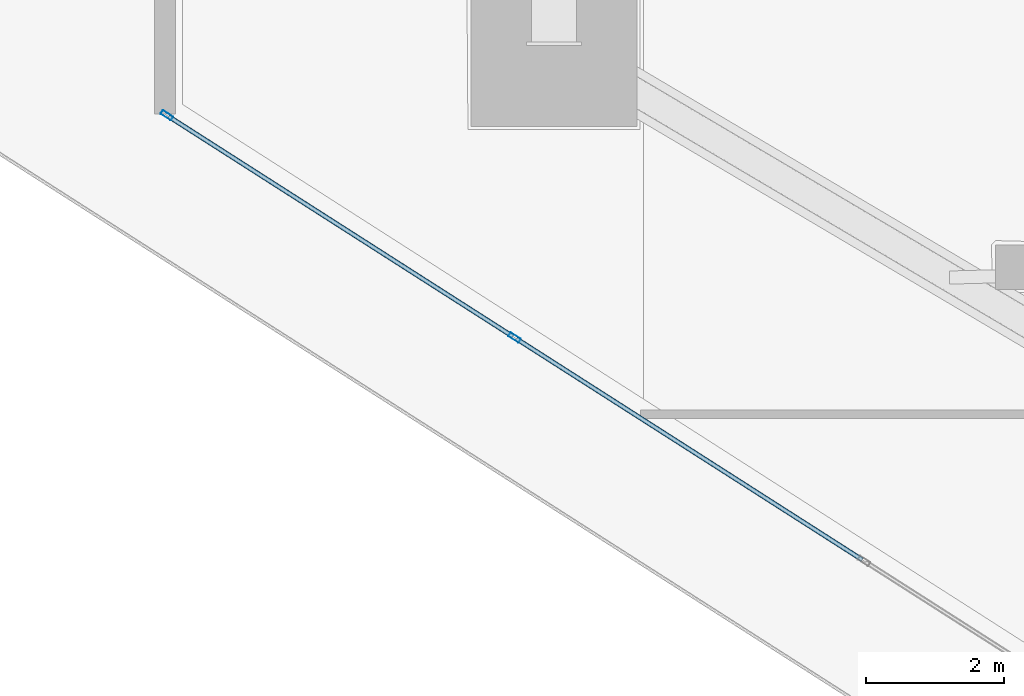
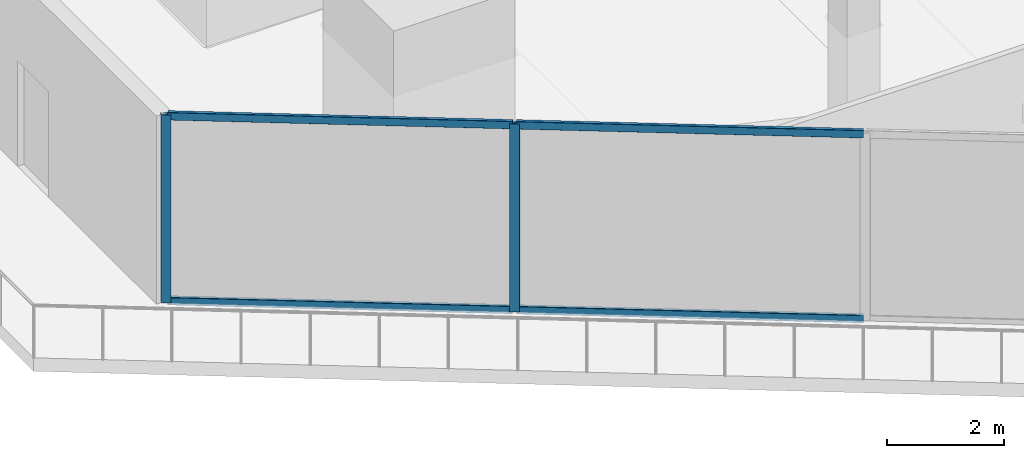
# One storey, part 4 of 43: 6 members, 1 element without a shape of its own.
"""IFC4 building model written with IfcOpenShell, lengths in metres."""

import ifcopenshell
import ifcopenshell.guid

model = None  # the IFC model being written
_history = None  # IfcOwnerHistory: only IFC2X3 demands one
_inside = {}  # id of a spatial element -> (the spatial element, [elements in it])
_under = {}  # id of a project, library or spatial element -> (it, [spatial elements below it])
_declared = {}  # id of a project -> (the project, [libraries it declares])
_typed = {}  # id of a type object -> (the type object, [elements of that type])
_made_of = {}  # id of a material, layer set ... -> (it, [elements and type objects made of it])


def new_model(schema):
    """Start an empty IFC model of exactly this schema.

    Asked for "IFC4X3", IfcOpenShell would pick the latest addendum, in which some entities
    have other attributes; the version numbers below select the first issue.
    IFC2X3 requires an IfcOwnerHistory on every rooted entity: one is made here for all.
    """
    global model, _history
    if schema == "IFC4X3":
        model = ifcopenshell.file(schema_version=(4, 3, 0, 0))
    else:
        model = ifcopenshell.file(schema=schema)
    _inside.clear()
    _under.clear()
    _declared.clear()
    _typed.clear()
    _made_of.clear()
    _history = None
    if model.schema == "IFC2X3":
        org = make("IfcOrganization", Name="unknown")
        user = make(
            "IfcPersonAndOrganization",
            ThePerson=make("IfcPerson", FamilyName="unknown"),
            TheOrganization=org,
        )
        app = make(
            "IfcApplication",
            ApplicationDeveloper=org,
            Version="unknown",
            ApplicationFullName="unknown",
            ApplicationIdentifier="unknown",
        )
        _history = make(
            "IfcOwnerHistory",
            OwningUser=user,
            OwningApplication=app,
            ChangeAction="ADDED",
            CreationDate=0,
        )
    return model


def make(cls, **values):
    """One entity of the class cls with the attributes given. An attribute that is None is left unset."""
    return model.create_entity(
        cls, **{name: value for name, value in values.items() if value is not None}
    )


def rooted(cls, **values):
    """An entity with a GlobalId (a new one), such as an element, a storey or a relation."""
    return make(cls, GlobalId=ifcopenshell.guid.new(), OwnerHistory=_history, **values)


def si_unit(unit_type, name, prefix=None):
    """IfcSIUnit, for example si_unit("LENGTHUNIT", "METRE", prefix="MILLI")."""
    return make("IfcSIUnit", UnitType=unit_type, Prefix=prefix, Name=name)


def assignment(units):
    """IfcUnitAssignment: the units of a project."""
    return None if units is None else make("IfcUnitAssignment", Units=units)


def point(xyz):
    """IfcCartesianPoint."""
    return None if xyz is None else make("IfcCartesianPoint", Coordinates=xyz)


def direction(xyz):
    """IfcDirection."""
    return None if xyz is None else make("IfcDirection", DirectionRatios=xyz)


def frame(location, z_axis=None, x_axis=None):
    """IfcAxis2Placement3D, a coordinate frame: its origin and axes. An axis left out is left unset."""
    return make(
        "IfcAxis2Placement3D",
        Location=point(location),
        Axis=direction(z_axis),
        RefDirection=direction(x_axis),
    )


def frame_2d(location, x_axis=None):
    """IfcAxis2Placement2D, a coordinate frame in the plane: its origin and x axis."""
    return make(
        "IfcAxis2Placement2D", Location=point(location), RefDirection=direction(x_axis)
    )


def origin():
    """The frame at (0, 0, 0) with its axes left unset."""
    return frame((0.0, 0.0, 0.0))


def origin_2d():
    """The frame at (0, 0) in the plane with its x axis left unset."""
    return frame_2d((0.0, 0.0))


def place(relative_to, where):
    """IfcLocalPlacement: puts the frame where relative to a parent placement (None: the world)."""
    return make(
        "IfcLocalPlacement", PlacementRelTo=relative_to, RelativePlacement=where
    )


def context(
    kind, dimensions, precision=None, world=None, true_north=None, identifier=None
):
    """IfcGeometricRepresentationContext, for example the 3D "Model" context."""
    return make(
        "IfcGeometricRepresentationContext",
        ContextIdentifier=identifier,
        ContextType=kind,
        CoordinateSpaceDimension=dimensions,
        Precision=precision,
        WorldCoordinateSystem=world,
        TrueNorth=true_north,
    )


def subcontext(parent, identifier, kind, view, scale=None):
    """IfcGeometricRepresentationSubContext, for example "Body" below "Model"."""
    return make(
        "IfcGeometricRepresentationSubContext",
        ContextIdentifier=identifier,
        ContextType=kind,
        ParentContext=parent,
        TargetScale=scale,
        TargetView=view,
    )


def project(units=None, contexts=None):
    """IfcProject with its units and contexts."""
    return rooted(
        "IfcProject",
        Name="project",
        RepresentationContexts=contexts,
        UnitsInContext=assignment(units),
    )


def spatial(cls, under=None, at=None, **own):
    """A site, building, storey or space (cls), placed at a placement, below another one or the project."""
    s = rooted(cls, ObjectPlacement=at, **own)
    if under is not None:
        _under.setdefault(under.id(), (under, []))[1].append(s)
    return s


def profile(cls, at=None, kind="AREA", **sizes):
    """A parametric profile (cls). Its sizes go by their IFC names, for example OverallWidth=200.0."""
    return make(cls, ProfileType=kind, Position=at, **sizes)


def hollow_rectangle(**sizes):
    """IfcRectangleHollowProfileDef."""
    return profile("IfcRectangleHollowProfileDef", **sizes)


def extrude(swept, where, along, depth):
    """IfcExtrudedAreaSolid: the profile swept, set in the frame where, extruded along a direction by depth."""
    return make(
        "IfcExtrudedAreaSolid",
        SweptArea=swept,
        Position=where,
        ExtrudedDirection=direction(along),
        Depth=depth,
    )


def shape(context_of_items, identifier, shape_type, items):
    """IfcShapeRepresentation: the items that make up one representation, for example the "Body"."""
    return make(
        "IfcShapeRepresentation",
        ContextOfItems=context_of_items,
        RepresentationIdentifier=identifier,
        RepresentationType=shape_type,
        Items=items,
    )


def material(Name=None, Category=None):
    """IfcMaterial."""
    return make("IfcMaterial", Name=Name, Category=Category)


def layer(
    of_material, thickness, ventilated=None, Name=None, Category=None, Priority=None
):
    """IfcMaterialLayer: one layer of a wall or slab, of a material (None: an air gap)."""
    return make(
        "IfcMaterialLayer",
        Material=of_material,
        LayerThickness=thickness,
        IsVentilated=ventilated,
        Name=Name,
        Category=Category,
        Priority=Priority,
    )


def layer_set(layers, Name=None):
    """IfcMaterialLayerSet."""
    return make("IfcMaterialLayerSet", MaterialLayers=layers, LayerSetName=Name)


def material_profile(
    of_material, cross_section, Name=None, Category=None, Priority=None
):
    """IfcMaterialProfile: a cross section and its material."""
    return make(
        "IfcMaterialProfile",
        Name=Name,
        Material=of_material,
        Profile=cross_section,
        Priority=Priority,
        Category=Category,
    )


def profile_set(profiles, Name=None, composite=None):
    """IfcMaterialProfileSet."""
    return make(
        "IfcMaterialProfileSet",
        Name=Name,
        MaterialProfiles=profiles,
        CompositeProfile=composite,
    )


def made_of(thing, what):
    """Note that an element or type object is made of a material, layer set ...; save() writes the relation."""
    if what is not None:
        _made_of.setdefault(what.id(), (what, []))[1].append(thing)
    return thing


def type_object(cls, material=None, **own):
    """A type object (cls), such as IfcWallType, which elements share."""
    return made_of(rooted(cls, **own), material)


def element(
    cls,
    number,
    at=None,
    inside=None,
    cuts=None,
    type_object=None,
    material=None,
    context=None,
    identifier="Body",
    shape_type=None,
    held_by="IfcProductDefinitionShape",
    body=None,
    shapes=None,
    **own,
):
    """One element of the class cls, such as IfcWall. Its Tag is "e" and its number.

    at: its placement. inside: the storey or other place that contains it. cuts: it is an
    opening in that element (IfcRelVoidsElement). A single representation is given by context,
    identifier, shape_type and body (its items); several are given by shapes. held_by: the class
    of the entity that holds the representations. save() writes the other relations.
    """
    e = rooted(cls, Tag="e%d" % number, ObjectPlacement=at, **own)
    if body is not None:
        shapes = [shape(context, identifier, shape_type, body)]
    if shapes is not None:
        e.Representation = make(held_by, Representations=shapes)
    if inside is not None:
        _inside.setdefault(inside.id(), (inside, []))[1].append(e)
    if cuts is not None:
        rooted(
            "IfcRelVoidsElement", RelatingBuildingElement=cuts, RelatedOpeningElement=e
        )
    if type_object is not None:
        _typed.setdefault(type_object.id(), (type_object, []))[1].append(e)
    return made_of(e, material)


def aggregate(whole, parts):
    """IfcRelAggregates: a whole, such as a stair, and the parts it consists of."""
    return rooted("IfcRelAggregates", RelatingObject=whole, RelatedObjects=parts)


def save(model, path):
    """Write the relations noted so far, then the file.

    IfcRelAggregates (storeys below a building ...), IfcRelContainedInSpatialStructure (elements
    in a storey), IfcRelDefinesByType, IfcRelAssociatesMaterial and IfcRelDeclares: one each for
    every whole, place, type object, material and project.
    """
    for whole, parts in _under.values():
        aggregate(whole, parts)
    for where, things in _inside.values():
        rooted(
            "IfcRelContainedInSpatialStructure",
            RelatedElements=things,
            RelatingStructure=where,
        )
    for kind, things in _typed.values():
        rooted("IfcRelDefinesByType", RelatedObjects=things, RelatingType=kind)
    for what, things in _made_of.values():
        rooted("IfcRelAssociatesMaterial", RelatedObjects=things, RelatingMaterial=what)
    for by, libraries in _declared.values():
        rooted("IfcRelDeclares", RelatingContext=by, RelatedDefinitions=libraries)
    model.write(path)


model = new_model("IFC4")

# Units and contexts
model_context = context("Model", 3, precision=1e-05, world=origin(), true_north=direction((0.0, 1.0)))
body_context = subcontext(model_context, "Body", "Model", "MODEL_VIEW")
ifc_project = project(units=[si_unit("LENGTHUNIT", "METRE"), si_unit("AREAUNIT", "SQUARE_METRE"), si_unit("VOLUMEUNIT", "CUBIC_METRE"), si_unit("PLANEANGLEUNIT", "RADIAN"), si_unit("MASSUNIT", "GRAM", prefix="KILO")], contexts=[model_context])

# Site, building, storey
site_placement = place(None, origin())
site = spatial("IfcSite", under=ifc_project, at=site_placement, CompositionType="ELEMENT")
building_placement = place(site_placement, origin())
building = spatial("IfcBuilding", under=site, at=building_placement, Name="Qorvath Tower", CompositionType="ELEMENT")
storey_placement = place(building_placement, frame((0.0, 0.0, 36.60009765625)))
storey = spatial("IfcBuildingStorey", under=building, at=storey_placement, Name="L07", CompositionType="ELEMENT", Elevation=36.60009765625)

# Curtain wall, members
ifc_material_1 = material(Name="Anodised aluminium and triple low-E glass", Category="aluminium")
ifc_layer = layer(ifc_material_1, 0.179931640625)
ifc_layer_set = layer_set([ifc_layer], Name="CW-SYS-2")
curtain_wall_type = type_object("IfcCurtainWallType", Name="CW-SYS-2", PredefinedType="NOTDEFINED", material=ifc_layer_set)
curtain_wall_placement = place(storey_placement, origin())
curtain_wall = element("IfcCurtainWall", 1, at=curtain_wall_placement, inside=storey, type_object=curtain_wall_type, Name="Curtain Wall CW-2 CW-T-L07-2.1", PredefinedType="NOTDEFINED")
ifc_material_2 = material(Name="Anodised aluminium 6063-T6", Category="aluminium")
ifc_material_profile_1 = material_profile(ifc_material_2, hollow_rectangle(XDim=0.06494140625, YDim=0.179931640625, WallThickness=0.00341796875, InnerFilletRadius=0.00341796875, OuterFilletRadius=0.007080078125, at=origin_2d()), Name="CWM 180x65")
ifc_profile_set_1 = profile_set([ifc_material_profile_1], Name="Anodised aluminium 6063-T6")
member_type_1 = type_object("IfcMemberType", Name="CWM-180", PredefinedType="MULLION", material=ifc_profile_set_1)
member_1_placement = place(storey_placement, frame((-60.875, -4.22998046875, 0.0), z_axis=(0.0, 0.0, 1.0), x_axis=(0.538528741164, 0.84260714152, 0.0)))
member_1 = element("IfcMember", 2, at=member_1_placement, type_object=member_type_1, Name="CW-2 mullion 1", PredefinedType="MULLION", context=body_context, shape_type="SweptSolid", body=[
    extrude(hollow_rectangle(XDim=0.06494140625, YDim=0.179931640625, WallThickness=0.00341796875, InnerFilletRadius=0.00341796875, OuterFilletRadius=0.007080078125, at=origin_2d()), origin(), (0.0, 0.0, 1.0), 3.919921875),
])
member_2_placement = place(storey_placement, frame((-55.852294921875, -7.43994140625, 0.0), z_axis=(0.0, 0.0, 1.0), x_axis=(0.538528741164, 0.84260714152, 0.0)))
member_2 = element("IfcMember", 3, at=member_2_placement, type_object=member_type_1, Name="CW-2 mullion 2", PredefinedType="MULLION", context=body_context, shape_type="SweptSolid", body=[
    extrude(hollow_rectangle(XDim=0.06494140625, YDim=0.179931640625, WallThickness=0.00341796875, InnerFilletRadius=0.00341796875, OuterFilletRadius=0.007080078125, at=origin_2d()), origin(), (0.0, 0.0, 1.0), 3.919921875),
])
ifc_material_3 = material(Name="Anodised aluminium 6063-T6", Category="aluminium")
ifc_material_profile_2 = material_profile(ifc_material_3, hollow_rectangle(XDim=0.06494140625, YDim=0.159912109375, WallThickness=0.00341796875, InnerFilletRadius=0.00341796875, OuterFilletRadius=0.007080078125, at=origin_2d()), Name="CWT 160x65")
ifc_profile_set_2 = profile_set([ifc_material_profile_2], Name="Anodised aluminium 6063-T6")
member_type_2 = type_object("IfcMemberType", Name="CWT-160", PredefinedType="USERDEFINED", material=ifc_profile_set_2)
member_3_placement = place(storey_placement, frame((-60.847412109375, -4.247314453125, 0.032470703125), z_axis=(0.84260439745, -0.538533034639, 0.0), x_axis=(0.538533034639, 0.84260439745, 0.0)))
member_3 = element("IfcMember", 4, at=member_3_placement, type_object=member_type_2, Name="CW-2 transom 1.1", ObjectType="TRANSOM", PredefinedType="USERDEFINED", context=body_context, shape_type="SweptSolid", body=[
    extrude(hollow_rectangle(XDim=0.06494140625, YDim=0.159912109375, WallThickness=0.00341796875, InnerFilletRadius=0.00341796875, OuterFilletRadius=0.007080078125, at=origin_2d()), origin(), (0.0, 0.0, 1.0), 5.895751953125),
])
member_4_placement = place(storey_placement, frame((-60.847412109375, -4.247314453125, 3.887451171875), z_axis=(0.84260439745, -0.538533034639, 0.0), x_axis=(0.538533034639, 0.84260439745, 0.0)))
member_4 = element("IfcMember", 5, at=member_4_placement, type_object=member_type_2, Name="CW-2 transom 1.2", ObjectType="TRANSOM", PredefinedType="USERDEFINED", context=body_context, shape_type="SweptSolid", body=[
    extrude(hollow_rectangle(XDim=0.06494140625, YDim=0.159912109375, WallThickness=0.00341796875, InnerFilletRadius=0.00341796875, OuterFilletRadius=0.007080078125, at=origin_2d()), origin(), (0.0, 0.0, 1.0), 5.895751953125),
])
member_5_placement = place(storey_placement, frame((-55.824951171875, -7.45751953125, 0.032470703125), z_axis=(0.842615282309, -0.538516003494, 0.0), x_axis=(0.538516003494, 0.842615282309, 0.0)))
member_5 = element("IfcMember", 6, at=member_5_placement, type_object=member_type_2, Name="CW-2 transom 2.1", ObjectType="TRANSOM", PredefinedType="USERDEFINED", context=body_context, shape_type="SweptSolid", body=[
    extrude(hollow_rectangle(XDim=0.06494140625, YDim=0.159912109375, WallThickness=0.00341796875, InnerFilletRadius=0.00341796875, OuterFilletRadius=0.007080078125, at=origin_2d()), origin(), (0.0, 0.0, 1.0), 5.92822265625),
])
member_6_placement = place(storey_placement, frame((-55.824951171875, -7.45751953125, 3.887451171875), z_axis=(0.842615282309, -0.538516003494, 0.0), x_axis=(0.538516003494, 0.842615282309, 0.0)))
member_6 = element("IfcMember", 7, at=member_6_placement, type_object=member_type_2, Name="CW-2 transom 2.2", ObjectType="TRANSOM", PredefinedType="USERDEFINED", context=body_context, shape_type="SweptSolid", body=[
    extrude(hollow_rectangle(XDim=0.06494140625, YDim=0.159912109375, WallThickness=0.00341796875, InnerFilletRadius=0.00341796875, OuterFilletRadius=0.007080078125, at=origin_2d()), origin(), (0.0, 0.0, 1.0), 5.92822265625),
])
aggregate(curtain_wall, [member_1, member_2, member_3, member_4, member_5, member_6])

save(model, "model.ifc")
